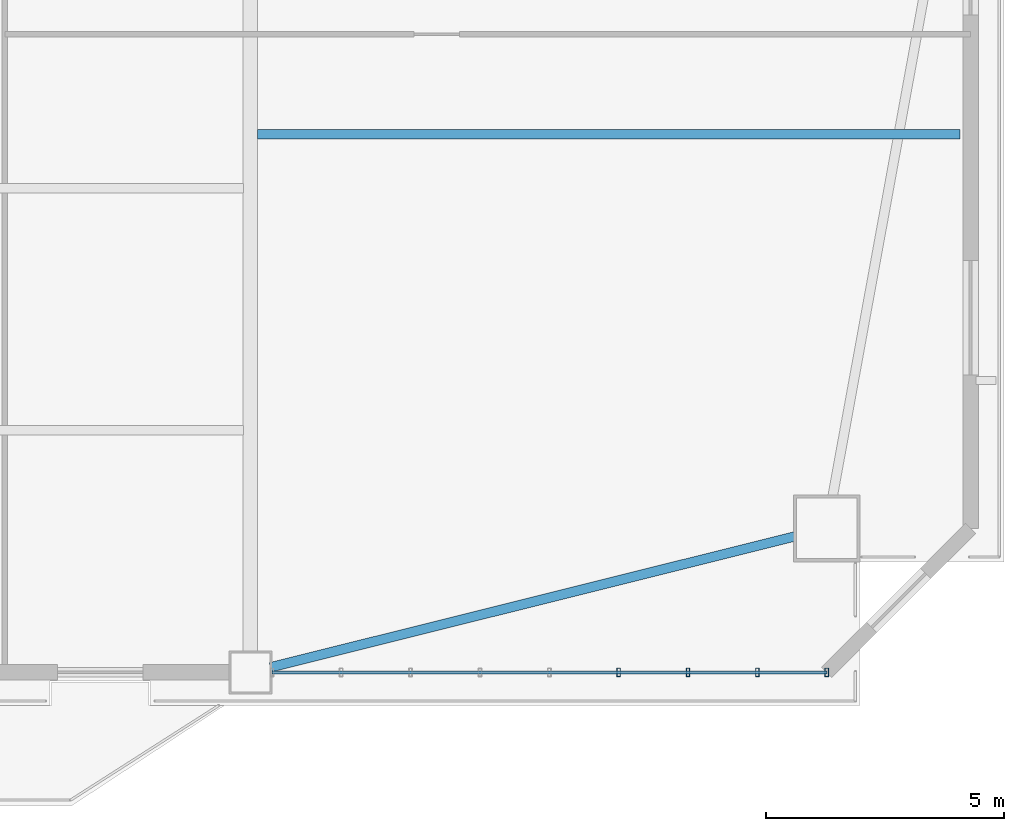
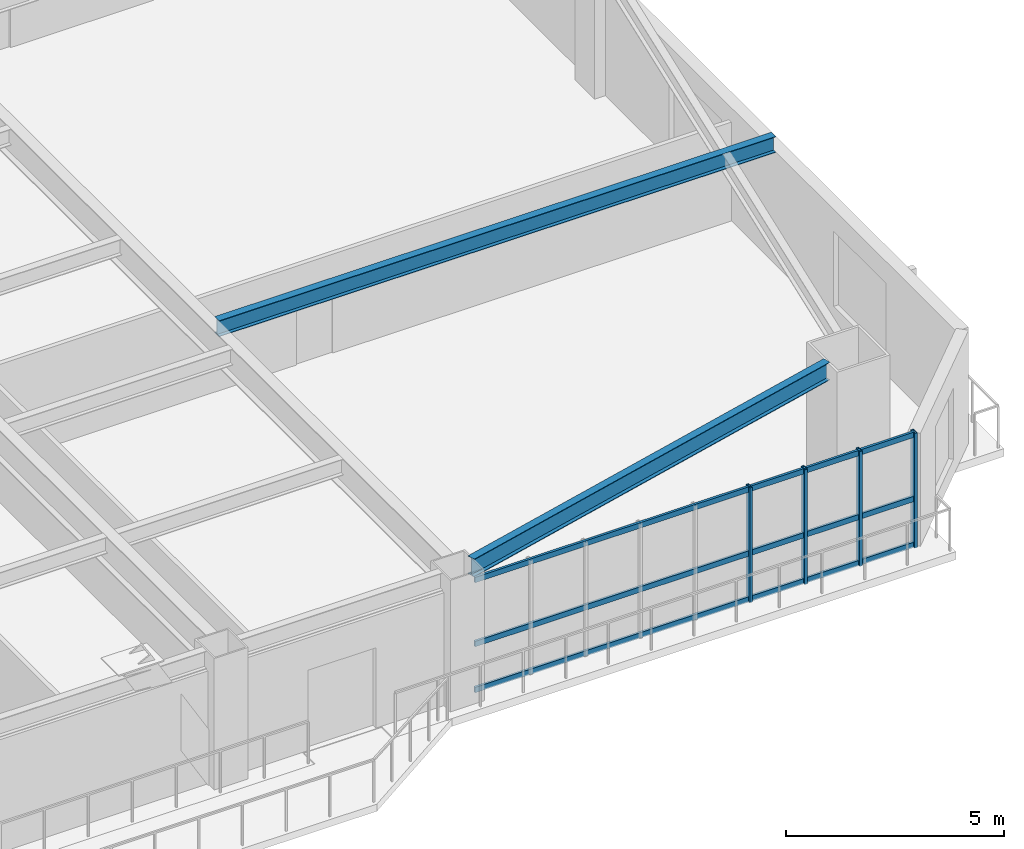
# One storey, part 5 of 15: 7 members, 2 beams, 1 element without a shape of its own.
"""IFC4 building model written with IfcOpenShell, lengths in metres."""

from ifc_helpers import new_model, si_unit, direction, frame, origin, origin_2d, place, context, subcontext, project, spatial, hollow_rectangle, i_section, extrude, source, transform, mapped, material, layer, layer_set, material_profile, profile_set, type_object, element, aggregate, save


model = new_model("IFC4")

# Units and contexts
model_context = context("Model", 3, precision=1e-05, world=origin(), true_north=direction((0.0, 1.0)))
body_context = subcontext(model_context, "Body", "Model", "MODEL_VIEW")
ifc_project = project(units=[si_unit("LENGTHUNIT", "METRE"), si_unit("AREAUNIT", "SQUARE_METRE"), si_unit("VOLUMEUNIT", "CUBIC_METRE"), si_unit("PLANEANGLEUNIT", "RADIAN"), si_unit("MASSUNIT", "GRAM", prefix="KILO")], contexts=[model_context])

# Site, building, storey
site_placement = place(None, origin())
site = spatial("IfcSite", under=ifc_project, at=site_placement, CompositionType="ELEMENT")
building_placement = place(site_placement, origin())
building = spatial("IfcBuilding", under=site, at=building_placement, Name="Giltprow Tower", CompositionType="ELEMENT")
storey_placement = place(building_placement, frame((0.0, 0.0, 111.39990234375)))
storey = spatial("IfcBuildingStorey", under=building, at=storey_placement, Name="L27", CompositionType="ELEMENT", Elevation=111.39990234375)

# Beams
ifc_material_1 = material(Name="Structural steel Q355B", Category="steel")
ifc_material_profile_1 = material_profile(ifc_material_1, i_section(OverallWidth=0.199951171875, OverallDepth=0.5, WebThickness=0.010009765625, FlangeThickness=0.01611328125, at=origin_2d()), Name="HN 500x200x10x16")
ifc_profile_set_1 = profile_set([ifc_material_profile_1], Name="Structural steel Q355B")
beam_type_1 = type_object("IfcBeamType", Name="BM-SPAN-HN500", PredefinedType="SPANDREL", material=ifc_profile_set_1)
shared_shape_1 = source(origin(), body_context, "Body", "SweptSolid", [
    extrude(i_section(OverallWidth=0.199951171875, OverallDepth=0.5, WebThickness=0.010009765625, FlangeThickness=0.01611328125, at=origin_2d()), origin(), (0.0, 0.0, 1.0), 11.33984375),
])
beam_1_placement = place(storey_placement, frame((50.971923828125, 7.094970703125, 3.43017578125), z_axis=(0.970234880628, 0.242165803557, 0.0), x_axis=(-0.242165803557, 0.970234880628, 0.0)))
element("IfcBeam", 1, at=beam_1_placement, inside=storey, type_object=beam_type_1, Name="L27 Perimeter Spandrel Beam S4-MC_SE", PredefinedType="SPANDREL", context=body_context, shape_type="MappedRepresentation", body=[
    mapped(shared_shape_1, transform((0.0, 0.0, 0.0), x_axis=(1.0, 0.0, 0.0), y_axis=(0.0, 1.0, 0.0), z_axis=(0.0, 0.0, 1.0), scale=1.0)),
])
ifc_material_profile_2 = material_profile(ifc_material_1, i_section(OverallWidth=0.199951171875, OverallDepth=0.449951171875, WebThickness=0.009033203125, FlangeThickness=0.013916015625, at=origin_2d()), Name="HN 450x200x9x14")
ifc_profile_set_2 = profile_set([ifc_material_profile_2], Name="Structural steel Q355B")
beam_type_2 = type_object("IfcBeamType", Name="BM-JOIST-HN450", PredefinedType="JOIST", material=ifc_profile_set_2)
shared_shape_2 = source(origin(), body_context, "Body", "SweptSolid", [
    extrude(i_section(OverallWidth=0.199951171875, OverallDepth=0.449951171875, WebThickness=0.009033203125, FlangeThickness=0.013916015625, at=origin_2d()), origin(), (0.0, 0.0, 1.0), 14.740966796875),
])
beam_2_placement = place(storey_placement, frame((50.695068359375, 18.27587890625, 3.455078125), z_axis=(1.0, 0.0, 0.0), x_axis=(0.0, 1.0, 0.0)))
element("IfcBeam", 2, at=beam_2_placement, inside=storey, type_object=beam_type_2, Name="L27 East Wing Floor Joist 1", PredefinedType="JOIST", context=body_context, shape_type="MappedRepresentation", body=[
    mapped(shared_shape_2, transform((0.0, 0.0, 0.0), x_axis=(1.0, 0.0, 0.0), y_axis=(0.0, 1.0, 0.0), z_axis=(0.0, 0.0, 1.0), scale=1.0)),
])

# Curtain wall, members
ifc_material_2 = material(Name="Anodized bronze", Category="metal")
ifc_layer = layer(ifc_material_2, 0.179931640625, Name="Anodized bronze")
ifc_layer_set = layer_set([ifc_layer], Name="Anodized bronze")
curtain_wall_type = type_object("IfcCurtainWallType", Name="CW-OFF-RECESSED", PredefinedType="NOTDEFINED", material=ifc_layer_set)
curtain_wall_placement = place(storey_placement, origin())
curtain_wall = element("IfcCurtainWall", 3, at=curtain_wall_placement, inside=storey, type_object=curtain_wall_type, Name="L27 South Recessed Curtain Wall 6", PredefinedType="NOTDEFINED")
ifc_material_profile_3 = material_profile(ifc_material_2, hollow_rectangle(XDim=0.074951171875, YDim=0.179931640625, WallThickness=0.008056640625, at=origin_2d()), Name="RHS 180x75x8")
ifc_profile_set_3 = profile_set([ifc_material_profile_3], Name="Anodized bronze")
member_type_1 = type_object("IfcMemberType", Name="CW-MULLION-180x75", PredefinedType="MULLION", material=ifc_profile_set_3)
shared_shape_3 = source(origin(), body_context, "Body", "SweptSolid", [
    extrude(hollow_rectangle(XDim=0.074951171875, YDim=0.179931640625, WallThickness=0.008056640625, at=origin_2d()), origin(), (0.0, 0.0, 1.0), 3.215087890625),
])
member_1_placement = place(storey_placement, frame((58.27392578125, 6.989990234375, -0.02001953125), z_axis=(0.0, 0.0, 1.0), x_axis=(1.0, 0.0, 0.0)))
member_1 = element("IfcMember", 4, at=member_1_placement, type_object=member_type_1, Name="L27 South Recessed Curtain Wall 6 Mullion 6", PredefinedType="MULLION", context=body_context, shape_type="MappedRepresentation", body=[
    mapped(shared_shape_3, transform((0.0, 0.0, 0.0), x_axis=(1.0, 0.0, 0.0), y_axis=(0.0, 1.0, 0.0), z_axis=(0.0, 0.0, 1.0), scale=1.0)),
])
member_2_placement = place(storey_placement, frame((59.72900390625, 6.989990234375, -0.02001953125), z_axis=(0.0, 0.0, 1.0), x_axis=(1.0, 0.0, 0.0)))
member_2 = element("IfcMember", 5, at=member_2_placement, type_object=member_type_1, Name="L27 South Recessed Curtain Wall 6 Mullion 7", PredefinedType="MULLION", context=body_context, shape_type="MappedRepresentation", body=[
    mapped(shared_shape_3, transform((0.0, 0.0, 0.0), x_axis=(1.0, 0.0, 0.0), y_axis=(0.0, 1.0, 0.0), z_axis=(0.0, 0.0, 1.0), scale=1.0)),
])
member_3_placement = place(storey_placement, frame((61.18408203125, 6.989990234375, -0.02001953125), z_axis=(0.0, 0.0, 1.0), x_axis=(1.0, 0.0, 0.0)))
member_3 = element("IfcMember", 6, at=member_3_placement, type_object=member_type_1, Name="L27 South Recessed Curtain Wall 6 Mullion 8", PredefinedType="MULLION", context=body_context, shape_type="MappedRepresentation", body=[
    mapped(shared_shape_3, transform((0.0, 0.0, 0.0), x_axis=(1.0, 0.0, 0.0), y_axis=(0.0, 1.0, 0.0), z_axis=(0.0, 0.0, 1.0), scale=1.0)),
])
member_4_placement = place(storey_placement, frame((62.638916015625, 6.989990234375, -0.02001953125), z_axis=(0.0, 0.0, 1.0), x_axis=(1.0, 0.0, 0.0)))
member_4 = element("IfcMember", 7, at=member_4_placement, type_object=member_type_1, Name="L27 South Recessed Curtain Wall 6 Mullion 9", PredefinedType="MULLION", context=body_context, shape_type="MappedRepresentation", body=[
    mapped(shared_shape_3, transform((0.0, 0.0, 0.0), x_axis=(1.0, 0.0, 0.0), y_axis=(0.0, 1.0, 0.0), z_axis=(0.0, 0.0, 1.0), scale=1.0)),
])
ifc_material_profile_4 = material_profile(ifc_material_2, hollow_rectangle(XDim=0.06494140625, YDim=0.14990234375, WallThickness=0.006103515625, at=origin_2d()), Name="RHS 150x65x6")
ifc_profile_set_4 = profile_set([ifc_material_profile_4], Name="Anodized bronze")
member_type_2 = type_object("IfcMemberType", Name="CW-TRANSOM-150x65", PredefinedType="USERDEFINED", material=ifc_profile_set_4)
shared_shape_4 = source(origin(), body_context, "Body", "SweptSolid", [
    extrude(hollow_rectangle(XDim=0.06494140625, YDim=0.14990234375, WallThickness=0.006103515625, at=origin_2d()), origin(), (0.0, 0.0, 1.0), 11.638916015625),
])
member_5_placement = place(storey_placement, frame((51.0, 6.989990234375, 0.0400390625), z_axis=(1.0, 0.0, 0.0), x_axis=(0.0, 1.0, 0.0)))
member_5 = element("IfcMember", 8, at=member_5_placement, type_object=member_type_2, Name="L27 South Recessed Curtain Wall 6 Transom 1", ObjectType="TRANSOM", PredefinedType="USERDEFINED", context=body_context, shape_type="MappedRepresentation", body=[
    mapped(shared_shape_4, transform((0.0, 0.0, 0.0), x_axis=(1.0, 0.0, 0.0), y_axis=(0.0, 1.0, 0.0), z_axis=(0.0, 0.0, 1.0), scale=1.0)),
])
member_6_placement = place(storey_placement, frame((51.0, 6.989990234375, 1.3271484375), z_axis=(1.0, 0.0, 0.0), x_axis=(0.0, 1.0, 0.0)))
member_6 = element("IfcMember", 9, at=member_6_placement, type_object=member_type_2, Name="L27 South Recessed Curtain Wall 6 Transom 2", ObjectType="TRANSOM", PredefinedType="USERDEFINED", context=body_context, shape_type="MappedRepresentation", body=[
    mapped(shared_shape_4, transform((0.0, 0.0, 0.0), x_axis=(1.0, 0.0, 0.0), y_axis=(0.0, 1.0, 0.0), z_axis=(0.0, 0.0, 1.0), scale=1.0)),
])
member_7_placement = place(storey_placement, frame((51.0, 6.989990234375, 3.1201171875), z_axis=(1.0, 0.0, 0.0), x_axis=(0.0, 1.0, 0.0)))
member_7 = element("IfcMember", 10, at=member_7_placement, type_object=member_type_2, Name="L27 South Recessed Curtain Wall 6 Transom 3", ObjectType="TRANSOM", PredefinedType="USERDEFINED", context=body_context, shape_type="MappedRepresentation", body=[
    mapped(shared_shape_4, transform((0.0, 0.0, 0.0), x_axis=(1.0, 0.0, 0.0), y_axis=(0.0, 1.0, 0.0), z_axis=(0.0, 0.0, 1.0), scale=1.0)),
])
aggregate(curtain_wall, [member_1, member_2, member_3, member_4, member_5, member_6, member_7])

save(model, "model.ifc")
